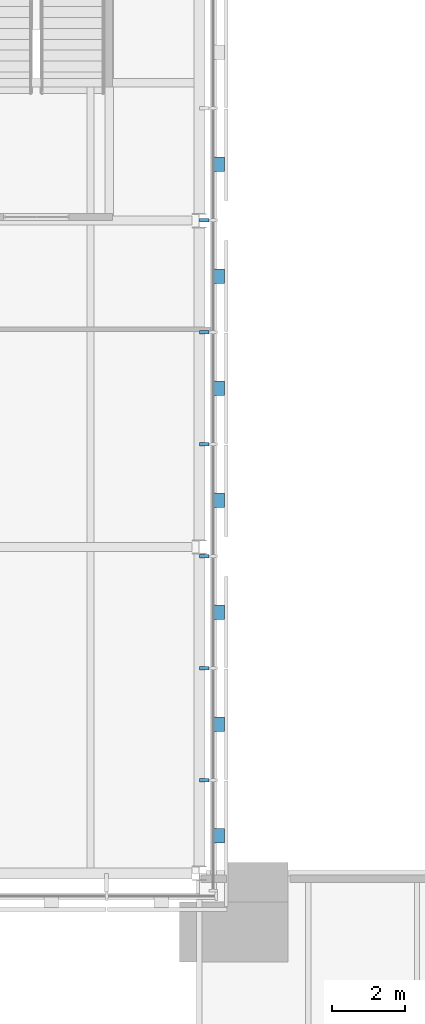
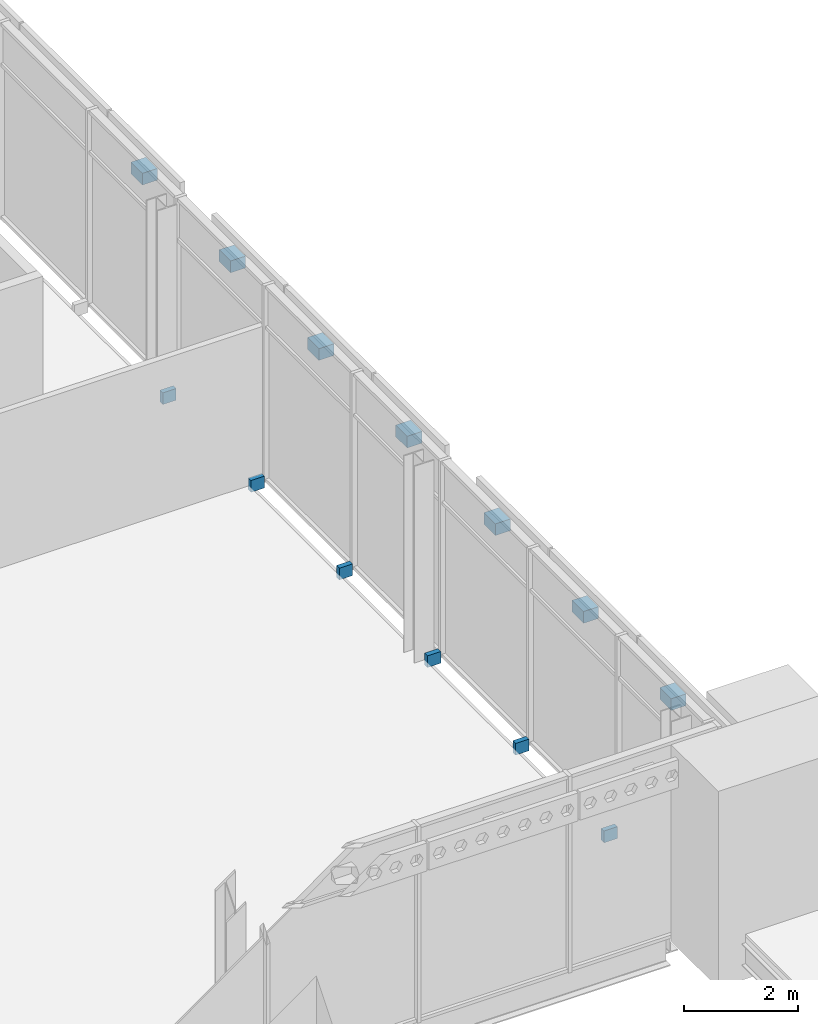
# One storey, part 91 of 123: 13 discrete accessories.
"""IFC4 building model written with IfcOpenShell, lengths in metres."""

from ifc_helpers import new_model, si_unit, direction, frame, origin, origin_2d, place, context, subcontext, project, spatial, rectangle, extrude, material, type_object, element, save


model = new_model("IFC4")

# Units and contexts
model_context = context("Model", 3, precision=1e-05, world=origin(), true_north=direction((0.0, 1.0)))
body_context = subcontext(model_context, "Body", "Model", "MODEL_VIEW")
ifc_project = project(units=[si_unit("LENGTHUNIT", "METRE"), si_unit("AREAUNIT", "SQUARE_METRE"), si_unit("VOLUMEUNIT", "CUBIC_METRE"), si_unit("PLANEANGLEUNIT", "RADIAN"), si_unit("MASSUNIT", "GRAM", prefix="KILO")], contexts=[model_context])

# Site, building, storey
site_placement = place(None, origin())
site = spatial("IfcSite", under=ifc_project, at=site_placement, CompositionType="ELEMENT")
building_placement = place(site_placement, origin())
building = spatial("IfcBuilding", under=site, at=building_placement, Name="Baradari Gate Terminus", CompositionType="ELEMENT")
storey_placement = place(building_placement, frame((0.0, 0.0, 7.5)))
storey = spatial("IfcBuildingStorey", under=building, at=storey_placement, Name="L01", CompositionType="ELEMENT", Elevation=7.5)

# Discrete accessories
ifc_material_1 = material(Name="Aluminium 6063-T6", Category="aluminium")
discrete_accessory_type_1 = type_object("IfcDiscreteAccessoryType", Name="Curtain wall bracket BK-1 100x250", PredefinedType="BRACKET", material=ifc_material_1)
for number, where, z_axis, x_axis, name in (
    (1, (63.135009765625, 119.56787109375, -0.10009765625), (0.0, 0.0, 1.0), (1.0, 0.0, 0.0), "Curtain wall bracket BK-1 L01/TE mullion 2"),
    (2, (63.135009765625, 122.655517578125, -0.10009765625), (0.0, 0.0, 1.0), (1.0, 0.0, 0.0), "Curtain wall bracket BK-1 L01/TE mullion 3"),
    (3, (63.135009765625, 125.743408203125, -0.10009765625), (0.0, 0.0, 1.0), (1.0, 0.0, 0.0), "Curtain wall bracket BK-1 L01/TE mullion 4"),
    (4, (63.135009765625, 128.8310546875, -0.10009765625), (0.0, 0.0, 1.0), (1.0, 0.0, 0.0), "Curtain wall bracket BK-1 L01/TE mullion 5"),
    (5, (63.135009765625, 131.9189453125, -0.10009765625), (0.0, 0.0, 1.0), (1.0, 0.0, 0.0), "Curtain wall bracket BK-1 L01/TE mullion 6"),
    (6, (63.135009765625, 135.006591796875, -0.10009765625), (0.0, 0.0, 1.0), (1.0, 0.0, 0.0), "Curtain wall bracket BK-1 L01/TE mullion 7"),
):
    element("IfcDiscreteAccessory", number, at=place(storey_placement, frame(where, z_axis=z_axis, x_axis=x_axis)), inside=storey, type_object=discrete_accessory_type_1, Name=name, PredefinedType="BRACKET", context=body_context, shape_type="SweptSolid", body=[
        extrude(rectangle(XDim=0.27001953125, YDim=0.10009765625, at=origin_2d()), origin(), (0.0, 0.0, 1.0), 0.25),
    ])
ifc_material_2 = material(Name="Stainless steel 316", Category="steel")
discrete_accessory_type_2 = type_object("IfcDiscreteAccessoryType", Name="Jali screen bracket BK-2 stainless steel", PredefinedType="BRACKET", material=ifc_material_2)
for number, where, z_axis, x_axis, name in (
    (7, (63.543701171875, 118.04150390625, 3.607421875), (0.0, 0.0, 1.0), (1.0, 0.0, 0.0), "Jali screen bracket BK-2 L01/TE bay 1"),
    (8, (63.543701171875, 121.111572265625, 3.607421875), (0.0, 0.0, 1.0), (1.0, 0.0, 0.0), "Jali screen bracket BK-2 L01/TE bay 2"),
    (9, (63.543701171875, 124.199462890625, 3.607421875), (0.0, 0.0, 1.0), (1.0, 0.0, 0.0), "Jali screen bracket BK-2 L01/TE bay 3"),
    (10, (63.543701171875, 127.287109375, 3.607421875), (0.0, 0.0, 1.0), (1.0, 0.0, 0.0), "Jali screen bracket BK-2 L01/TE bay 4"),
    (11, (63.543701171875, 130.375, 3.607421875), (0.0, 0.0, 1.0), (1.0, 0.0, 0.0), "Jali screen bracket BK-2 L01/TE bay 5"),
    (12, (63.543701171875, 133.462890625, 3.607421875), (0.0, 0.0, 1.0), (1.0, 0.0, 0.0), "Jali screen bracket BK-2 L01/TE bay 6"),
    (13, (63.543701171875, 136.550537109375, 3.607421875), (0.0, 0.0, 1.0), (1.0, 0.0, 0.0), "Jali screen bracket BK-2 L01/TE bay 7"),
):
    element("IfcDiscreteAccessory", number, at=place(storey_placement, frame(where, z_axis=z_axis, x_axis=x_axis)), inside=storey, type_object=discrete_accessory_type_2, Name=name, PredefinedType="BRACKET", context=body_context, shape_type="SweptSolid", body=[
        extrude(rectangle(XDim=0.302490234375, YDim=0.39990234375, at=origin_2d()), origin(), (0.0, 0.0, 1.0), 0.25),
    ])

save(model, "model.ifc")
